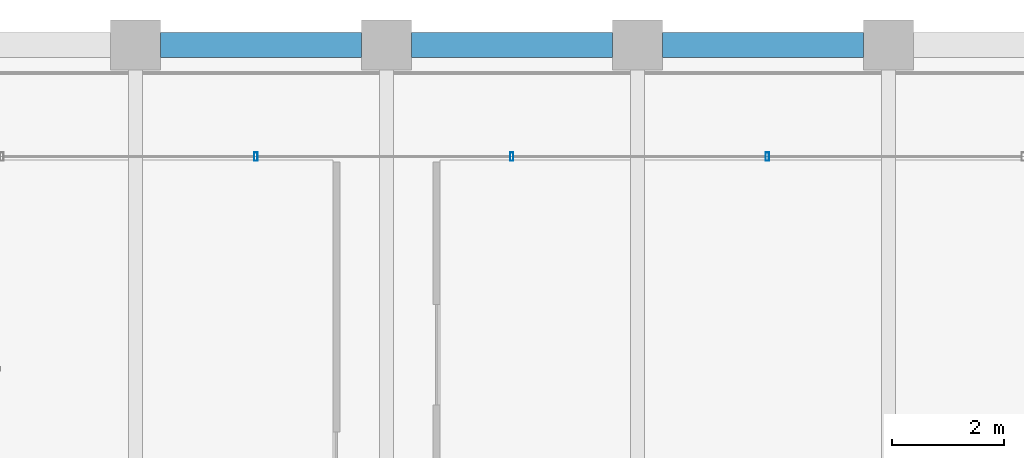
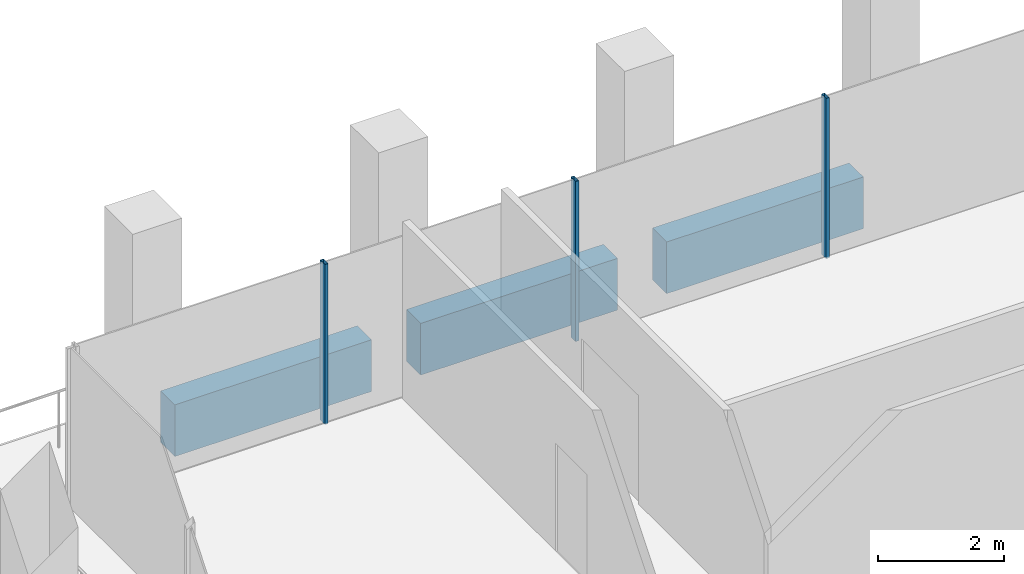
# One storey, part 23 of 40: 3 beams, 3 members, 1 element without a shape of its own.
"""IFC4 building model written with IfcOpenShell, lengths in metres."""

from ifc_helpers import new_model, si_unit, direction, frame, origin, origin_2d, place, context, subcontext, project, spatial, rectangle, hollow_rectangle, extrude, material, material_profile, profile_set, type_object, element, aggregate, save


model = new_model("IFC4")

# Units and contexts
model_context = context("Model", 3, precision=1e-05, world=origin(), true_north=direction((0.0, 1.0)))
body_context = subcontext(model_context, "Body", "Model", "MODEL_VIEW")
ifc_project = project(units=[si_unit("LENGTHUNIT", "METRE"), si_unit("AREAUNIT", "SQUARE_METRE"), si_unit("VOLUMEUNIT", "CUBIC_METRE"), si_unit("PLANEANGLEUNIT", "RADIAN"), si_unit("MASSUNIT", "GRAM", prefix="KILO")], contexts=[model_context])

# Site, building, storey
site_placement = place(None, origin())
site = spatial("IfcSite", under=ifc_project, at=site_placement, CompositionType="ELEMENT")
building_placement = place(site_placement, origin())
building = spatial("IfcBuilding", under=site, at=building_placement, Name="Altepetl Exchange Towers", CompositionType="ELEMENT")
storey_placement = place(building_placement, frame((0.0, 0.0, 179.800048828125)))
storey = spatial("IfcBuildingStorey", under=building, at=storey_placement, Name="L45", CompositionType="ELEMENT", Elevation=179.800048828125)

# Curtain wall, members
ifc_material_1 = material(Name="Aluminium 6063-T6 glazing", Category="aluminium")
curtain_wall_type = type_object("IfcCurtainWallType", Name="Loggia glazing system", PredefinedType="NOTDEFINED", material=ifc_material_1)
curtain_wall_placement = place(storey_placement, origin())
curtain_wall = element("IfcCurtainWall", 1, at=curtain_wall_placement, inside=storey, type_object=curtain_wall_type, Name="CW1 run", PredefinedType="NOTDEFINED")
ifc_material_2 = material(Name="Aluminium 6063-T6", Category="aluminium")
ifc_material_profile_1 = material_profile(ifc_material_2, hollow_rectangle(XDim=0.06005859375, YDim=0.14990234375, WallThickness=0.0029296875, at=origin_2d()), Name="Mullion 60x150 aluminium")
ifc_profile_set_1 = profile_set([ifc_material_profile_1], Name="Aluminium 6063-T6")
member_type = type_object("IfcMemberType", Name="Mullion 60x150 aluminium", PredefinedType="MULLION", material=ifc_profile_set_1)
member_1_placement = place(storey_placement, frame((56.330078125, 70.0, 0.0), z_axis=(0.0, 0.0, 1.0), x_axis=(-1.0, 0.0, 0.0)))
member_1 = element("IfcMember", 2, at=member_1_placement, type_object=member_type, Name="MU1 mullion", PredefinedType="MULLION", context=body_context, shape_type="SweptSolid", body=[
    extrude(hollow_rectangle(XDim=0.06005859375, YDim=0.14990234375, WallThickness=0.0029296875, at=origin_2d()), origin(), (0.0, 0.0, 1.0), 3.099853515625),
])
member_2_placement = place(storey_placement, frame((51.7451171875, 70.0, 0.0), z_axis=(0.0, 0.0, 1.0), x_axis=(-1.0, 0.0, 0.0)))
member_2 = element("IfcMember", 3, at=member_2_placement, type_object=member_type, Name="MU1 mullion", PredefinedType="MULLION", context=body_context, shape_type="SweptSolid", body=[
    extrude(hollow_rectangle(XDim=0.06005859375, YDim=0.14990234375, WallThickness=0.0029296875, at=origin_2d()), origin(), (0.0, 0.0, 1.0), 3.099853515625),
])
member_3_placement = place(storey_placement, frame((47.159912109375, 70.0, 0.0), z_axis=(0.0, 0.0, 1.0), x_axis=(-1.0, 0.0, 0.0)))
member_3 = element("IfcMember", 4, at=member_3_placement, type_object=member_type, Name="MU1 mullion", PredefinedType="MULLION", context=body_context, shape_type="SweptSolid", body=[
    extrude(hollow_rectangle(XDim=0.06005859375, YDim=0.14990234375, WallThickness=0.0029296875, at=origin_2d()), origin(), (0.0, 0.0, 1.0), 3.099853515625),
])
aggregate(curtain_wall, [member_1, member_2, member_3])

# Beams
ifc_material_3 = material(Name="Concrete C50/60 precast with cantera rosa facing", Category="concrete")
ifc_material_profile_2 = material_profile(ifc_material_3, rectangle(XDim=0.449951171875, YDim=1.0, at=origin_2d()), Name="450 x 1000")
ifc_profile_set_2 = profile_set([ifc_material_profile_2], Name="Concrete C50/60 precast with cantera rosa facing")
beam_type = type_object("IfcBeamType", Name="Spandrel beam 450x1000 cantera rosa", PredefinedType="SPANDREL", material=ifc_profile_set_2)
for number, where, z_axis, x_axis, name in (
    (5, (58.050048828125, 72.0, -0.650146484375), (-1.0, 0.0, 0.0), (0.0, -1.0, 0.0), "sp:A:L45:026"),
    (6, (53.550048828125, 72.0, -0.650146484375), (-1.0, 0.0, 0.0), (0.0, -1.0, 0.0), "sp:A:L45:027"),
    (7, (49.050048828125, 72.0, -0.650146484375), (-1.0, 0.0, 0.0), (0.0, -1.0, 0.0), "sp:A:L45:028"),
):
    element("IfcBeam", number, at=place(storey_placement, frame(where, z_axis=z_axis, x_axis=x_axis)), inside=storey, type_object=beam_type, Name=name, PredefinedType="SPANDREL", context=body_context, shape_type="SweptSolid", body=[
        extrude(rectangle(XDim=0.449951171875, YDim=1.0, at=origin_2d()), origin(), (0.0, 0.0, 1.0), 3.60009765625),
    ])

save(model, "model.ifc")
